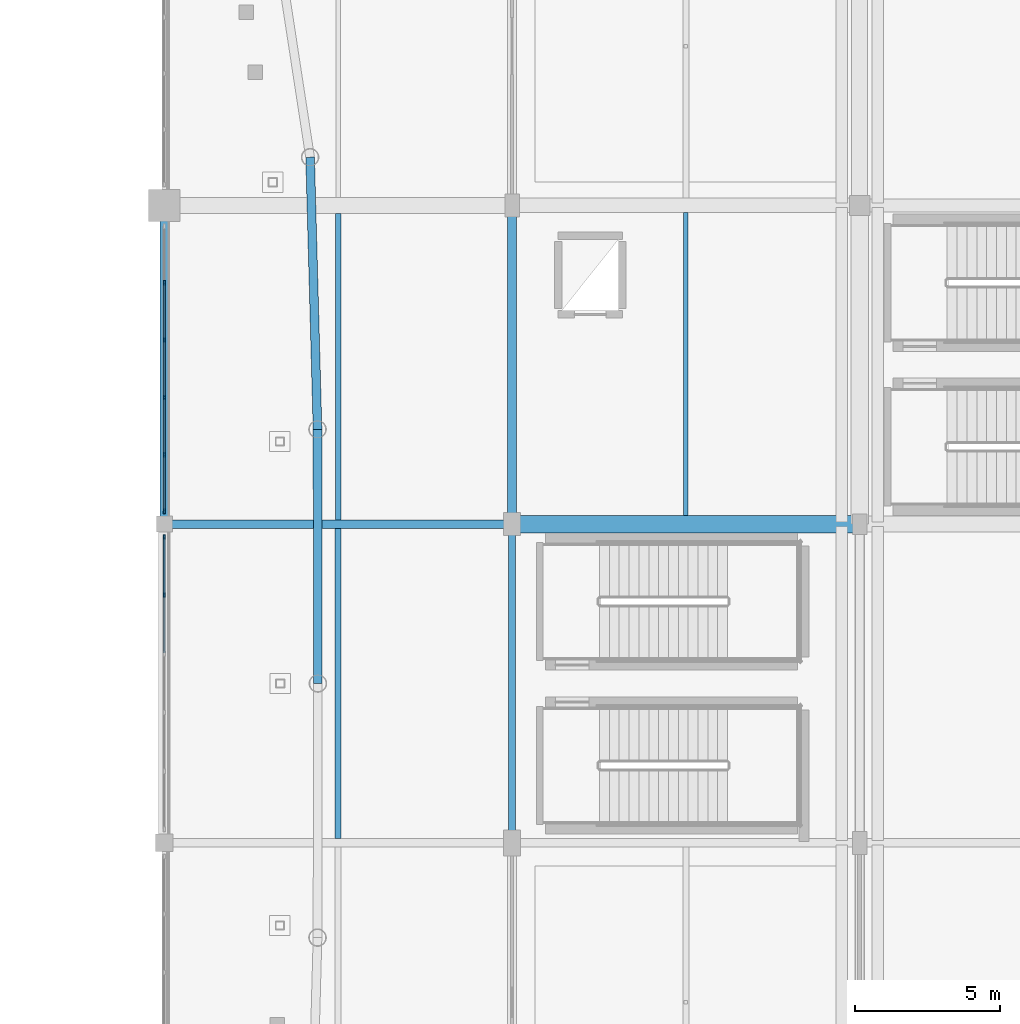
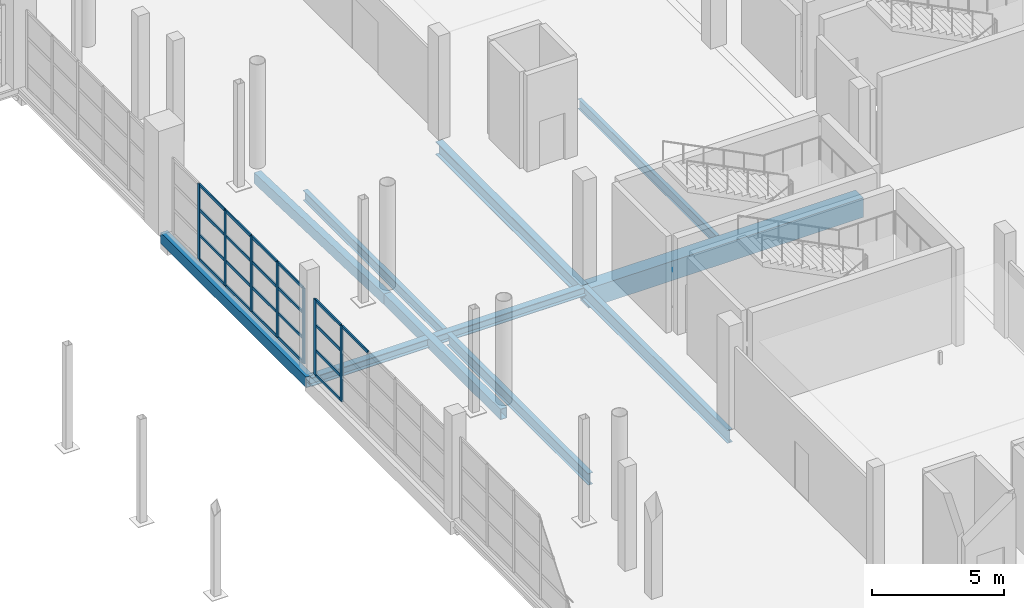
# One storey, part 60 of 143: 28 members, 10 beams, 2 elements without a shape of their own.
"""IFC4 building model written with IfcOpenShell, lengths in metres."""

from ifc_helpers import new_model, si_unit, direction, frame, origin, origin_2d, place, context, subcontext, project, spatial, rectangle, hollow_rectangle, i_section, extrude, material, material_profile, profile_set, type_object, element, aggregate, save


model = new_model("IFC4")

# Units and contexts
model_context = context("Model", 3, precision=1e-05, world=origin(), true_north=direction((0.0, 1.0)))
body_context = subcontext(model_context, "Body", "Model", "MODEL_VIEW")
ifc_project = project(units=[si_unit("LENGTHUNIT", "METRE"), si_unit("AREAUNIT", "SQUARE_METRE"), si_unit("VOLUMEUNIT", "CUBIC_METRE"), si_unit("PLANEANGLEUNIT", "RADIAN"), si_unit("MASSUNIT", "GRAM", prefix="KILO")], contexts=[model_context])

# Site, building, storey
site_placement = place(None, origin())
site = spatial("IfcSite", under=ifc_project, at=site_placement, CompositionType="ELEMENT")
building_placement = place(site_placement, origin())
building = spatial("IfcBuilding", under=site, at=building_placement, Name="Luwafu Chhajja Arena", CompositionType="ELEMENT")
storey_placement = place(building_placement, frame((0.0, 0.0, 5.39990234375)))
storey = spatial("IfcBuildingStorey", under=building, at=storey_placement, Name="L01", CompositionType="ELEMENT", Elevation=5.39990234375)

# Curtain wall, members
ifc_material_1 = material(Name="Anodised bronze aluminium", Category="aluminium")
curtain_wall_type = type_object("IfcCurtainWallType", Name="Bowl Concourse Chord Curtain Wall", PredefinedType="USERDEFINED", material=ifc_material_1)
curtain_wall_1_placement = place(storey_placement, origin())
curtain_wall_1 = element("IfcCurtainWall", 1, at=curtain_wall_1_placement, inside=storey, type_object=curtain_wall_type, Name="L01 Bowl Viewing Curtain Wall CWR-L01-22", ObjectType="CURTAIN WALL", PredefinedType="USERDEFINED")
ifc_material_profile_1 = material_profile(ifc_material_1, rectangle(XDim=0.06005859375, YDim=0.159912109375, at=origin_2d()), Name="CWM 60x160")
ifc_profile_set_1 = profile_set([ifc_material_profile_1], Name="Anodised bronze aluminium")
member_type_1 = type_object("IfcMemberType", Name="Bronze Curtain Wall Mullion 60x160", PredefinedType="MULLION", material=ifc_profile_set_1)
member_1_placement = place(storey_placement, frame((140.0, 52.555908203125, 0.0), z_axis=(0.0, 0.0, 1.0), x_axis=(-1.0, 0.0, 0.0)))
member_1 = element("IfcMember", 2, at=member_1_placement, type_object=member_type_1, Name="CW-01 mullion 5", PredefinedType="MULLION", context=body_context, shape_type="SweptSolid", body=[
    extrude(rectangle(XDim=0.06005859375, YDim=0.159912109375, at=origin_2d()), origin(), (0.0, 0.0, 1.0), 3.489990234375),
])
member_2_placement = place(storey_placement, frame((140.0, 54.554931640625, 0.0), z_axis=(0.0, 0.0, 1.0), x_axis=(-1.0, 0.0, 0.0)))
member_2 = element("IfcMember", 3, at=member_2_placement, type_object=member_type_1, Name="CW-01 mullion 6", PredefinedType="MULLION", context=body_context, shape_type="SweptSolid", body=[
    extrude(rectangle(XDim=0.06005859375, YDim=0.159912109375, at=origin_2d()), origin(), (0.0, 0.0, 1.0), 3.489990234375),
])

curtain_wall_2_placement = place(storey_placement, origin())
curtain_wall_2 = element("IfcCurtainWall", 4, at=curtain_wall_2_placement, inside=storey, type_object=curtain_wall_type, Name="L01 Bowl Viewing Curtain Wall CWR-L01-23", ObjectType="CURTAIN WALL", PredefinedType="USERDEFINED")
member_3_placement = place(storey_placement, frame((140.0, 55.445068359375, 0.0), z_axis=(0.0, 0.0, 1.0), x_axis=(-1.0, 0.0, 0.0)))
member_3 = element("IfcMember", 5, at=member_3_placement, type_object=member_type_1, Name="CW-01 mullion 1", PredefinedType="MULLION", context=body_context, shape_type="SweptSolid", body=[
    extrude(rectangle(XDim=0.06005859375, YDim=0.159912109375, at=origin_2d()), origin(), (0.0, 0.0, 1.0), 3.489990234375),
])
member_4_placement = place(storey_placement, frame((140.0, 57.39404296875, 0.0), z_axis=(0.0, 0.0, 1.0), x_axis=(-1.0, 0.0, 0.0)))
member_4 = element("IfcMember", 6, at=member_4_placement, type_object=member_type_1, Name="CW-01 mullion 2", PredefinedType="MULLION", context=body_context, shape_type="SweptSolid", body=[
    extrude(rectangle(XDim=0.06005859375, YDim=0.159912109375, at=origin_2d()), origin(), (0.0, 0.0, 1.0), 3.489990234375),
])
member_5_placement = place(storey_placement, frame((140.0, 59.373046875, 0.0), z_axis=(0.0, 0.0, 1.0), x_axis=(-1.0, 0.0, 0.0)))
member_5 = element("IfcMember", 7, at=member_5_placement, type_object=member_type_1, Name="CW-01 mullion 3", PredefinedType="MULLION", context=body_context, shape_type="SweptSolid", body=[
    extrude(rectangle(XDim=0.06005859375, YDim=0.159912109375, at=origin_2d()), origin(), (0.0, 0.0, 1.0), 3.489990234375),
])
member_6_placement = place(storey_placement, frame((140.0, 61.35205078125, 0.0), z_axis=(0.0, 0.0, 1.0), x_axis=(-1.0, 0.0, 0.0)))
member_6 = element("IfcMember", 8, at=member_6_placement, type_object=member_type_1, Name="CW-01 mullion 4", PredefinedType="MULLION", context=body_context, shape_type="SweptSolid", body=[
    extrude(rectangle(XDim=0.06005859375, YDim=0.159912109375, at=origin_2d()), origin(), (0.0, 0.0, 1.0), 3.489990234375),
])
member_7_placement = place(storey_placement, frame((140.0, 63.3310546875, 0.0), z_axis=(0.0, 0.0, 1.0), x_axis=(-1.0, 0.0, 0.0)))
member_7 = element("IfcMember", 9, at=member_7_placement, type_object=member_type_1, Name="CW-01 mullion 5", PredefinedType="MULLION", context=body_context, shape_type="SweptSolid", body=[
    extrude(rectangle(XDim=0.06005859375, YDim=0.159912109375, at=origin_2d()), origin(), (0.0, 0.0, 1.0), 3.489990234375),
])

# Member
ifc_material_profile_2 = material_profile(ifc_material_1, rectangle(XDim=0.06005859375, YDim=0.1298828125, at=origin_2d()), Name="CWT 60x130")
ifc_profile_set_2 = profile_set([ifc_material_profile_2], Name="Anodised bronze aluminium")
member_type_2 = type_object("IfcMemberType", Name="Bronze Curtain Wall Transom 60x130", PredefinedType="USERDEFINED", material=ifc_profile_set_2)
member_8_placement = place(storey_placement, frame((140.0, 50.556884765625, 3.460205078125), z_axis=(0.0, 1.0, 0.0), x_axis=(-1.0, 0.0, 0.0)))
member_8 = element("IfcMember", 10, at=member_8_placement, type_object=member_type_2, Name="CW-01 transom 4.4", ObjectType="TRANSOM", PredefinedType="USERDEFINED", context=body_context, shape_type="SweptSolid", body=[
    extrude(rectangle(XDim=0.06005859375, YDim=0.1298828125, at=origin_2d()), origin(), (0.0, 0.0, 1.0), 1.968994140625),
])

member_9_placement = place(storey_placement, frame((140.0, 52.5859375, 0.030029296875), z_axis=(0.0, 1.0, 0.0), x_axis=(-1.0, 0.0, 0.0)))
member_9 = element("IfcMember", 11, at=member_9_placement, type_object=member_type_2, Name="CW-01 transom 5.1", ObjectType="TRANSOM", PredefinedType="USERDEFINED", context=body_context, shape_type="SweptSolid", body=[
    extrude(rectangle(XDim=0.06005859375, YDim=0.1298828125, at=origin_2d()), origin(), (0.0, 0.0, 1.0), 1.93896484375),
])

member_10_placement = place(storey_placement, frame((140.0, 52.5859375, 1.150146484375), z_axis=(0.0, 1.0, 0.0), x_axis=(-1.0, 0.0, 0.0)))
member_10 = element("IfcMember", 12, at=member_10_placement, type_object=member_type_2, Name="CW-01 transom 5.2", ObjectType="TRANSOM", PredefinedType="USERDEFINED", context=body_context, shape_type="SweptSolid", body=[
    extrude(rectangle(XDim=0.06005859375, YDim=0.1298828125, at=origin_2d()), origin(), (0.0, 0.0, 1.0), 1.93896484375),
])

member_11_placement = place(storey_placement, frame((140.0, 52.5859375, 2.320068359375), z_axis=(0.0, 1.0, 0.0), x_axis=(-1.0, 0.0, 0.0)))
member_11 = element("IfcMember", 13, at=member_11_placement, type_object=member_type_2, Name="CW-01 transom 5.3", ObjectType="TRANSOM", PredefinedType="USERDEFINED", context=body_context, shape_type="SweptSolid", body=[
    extrude(rectangle(XDim=0.06005859375, YDim=0.1298828125, at=origin_2d()), origin(), (0.0, 0.0, 1.0), 1.93896484375),
])

member_12_placement = place(storey_placement, frame((140.0, 52.5859375, 3.460205078125), z_axis=(0.0, 1.0, 0.0), x_axis=(-1.0, 0.0, 0.0)))
member_12 = element("IfcMember", 14, at=member_12_placement, type_object=member_type_2, Name="CW-01 transom 5.4", ObjectType="TRANSOM", PredefinedType="USERDEFINED", context=body_context, shape_type="SweptSolid", body=[
    extrude(rectangle(XDim=0.06005859375, YDim=0.1298828125, at=origin_2d()), origin(), (0.0, 0.0, 1.0), 1.93896484375),
])

aggregate(curtain_wall_1, [member_1, member_2, member_8, member_9, member_10, member_11, member_12])

member_13_placement = place(storey_placement, frame((140.0, 55.47509765625, 0.030029296875), z_axis=(0.0, 1.0, 0.0), x_axis=(-1.0, 0.0, 0.0)))
member_13 = element("IfcMember", 15, at=member_13_placement, type_object=member_type_2, Name="CW-01 transom 1.1", ObjectType="TRANSOM", PredefinedType="USERDEFINED", context=body_context, shape_type="SweptSolid", body=[
    extrude(rectangle(XDim=0.06005859375, YDim=0.1298828125, at=origin_2d()), origin(), (0.0, 0.0, 1.0), 1.888916015625),
])

member_14_placement = place(storey_placement, frame((140.0, 55.47509765625, 1.150146484375), z_axis=(0.0, 1.0, 0.0), x_axis=(-1.0, 0.0, 0.0)))
member_14 = element("IfcMember", 16, at=member_14_placement, type_object=member_type_2, Name="CW-01 transom 1.2", ObjectType="TRANSOM", PredefinedType="USERDEFINED", context=body_context, shape_type="SweptSolid", body=[
    extrude(rectangle(XDim=0.06005859375, YDim=0.1298828125, at=origin_2d()), origin(), (0.0, 0.0, 1.0), 1.888916015625),
])

member_15_placement = place(storey_placement, frame((140.0, 55.47509765625, 2.320068359375), z_axis=(0.0, 1.0, 0.0), x_axis=(-1.0, 0.0, 0.0)))
member_15 = element("IfcMember", 17, at=member_15_placement, type_object=member_type_2, Name="CW-01 transom 1.3", ObjectType="TRANSOM", PredefinedType="USERDEFINED", context=body_context, shape_type="SweptSolid", body=[
    extrude(rectangle(XDim=0.06005859375, YDim=0.1298828125, at=origin_2d()), origin(), (0.0, 0.0, 1.0), 1.888916015625),
])

member_16_placement = place(storey_placement, frame((140.0, 55.47509765625, 3.460205078125), z_axis=(0.0, 1.0, 0.0), x_axis=(-1.0, 0.0, 0.0)))
member_16 = element("IfcMember", 18, at=member_16_placement, type_object=member_type_2, Name="CW-01 transom 1.4", ObjectType="TRANSOM", PredefinedType="USERDEFINED", context=body_context, shape_type="SweptSolid", body=[
    extrude(rectangle(XDim=0.06005859375, YDim=0.1298828125, at=origin_2d()), origin(), (0.0, 0.0, 1.0), 1.888916015625),
])

member_17_placement = place(storey_placement, frame((140.0, 57.424072265625, 0.030029296875), z_axis=(0.0, 1.0, 0.0), x_axis=(-1.0, 0.0, 0.0)))
member_17 = element("IfcMember", 19, at=member_17_placement, type_object=member_type_2, Name="CW-01 transom 2.1", ObjectType="TRANSOM", PredefinedType="USERDEFINED", context=body_context, shape_type="SweptSolid", body=[
    extrude(rectangle(XDim=0.06005859375, YDim=0.1298828125, at=origin_2d()), origin(), (0.0, 0.0, 1.0), 1.9189453125),
])

member_18_placement = place(storey_placement, frame((140.0, 57.424072265625, 1.150146484375), z_axis=(0.0, 1.0, 0.0), x_axis=(-1.0, 0.0, 0.0)))
member_18 = element("IfcMember", 20, at=member_18_placement, type_object=member_type_2, Name="CW-01 transom 2.2", ObjectType="TRANSOM", PredefinedType="USERDEFINED", context=body_context, shape_type="SweptSolid", body=[
    extrude(rectangle(XDim=0.06005859375, YDim=0.1298828125, at=origin_2d()), origin(), (0.0, 0.0, 1.0), 1.9189453125),
])

member_19_placement = place(storey_placement, frame((140.0, 57.424072265625, 2.320068359375), z_axis=(0.0, 1.0, 0.0), x_axis=(-1.0, 0.0, 0.0)))
member_19 = element("IfcMember", 21, at=member_19_placement, type_object=member_type_2, Name="CW-01 transom 2.3", ObjectType="TRANSOM", PredefinedType="USERDEFINED", context=body_context, shape_type="SweptSolid", body=[
    extrude(rectangle(XDim=0.06005859375, YDim=0.1298828125, at=origin_2d()), origin(), (0.0, 0.0, 1.0), 1.9189453125),
])

member_20_placement = place(storey_placement, frame((140.0, 57.424072265625, 3.460205078125), z_axis=(0.0, 1.0, 0.0), x_axis=(-1.0, 0.0, 0.0)))
member_20 = element("IfcMember", 22, at=member_20_placement, type_object=member_type_2, Name="CW-01 transom 2.4", ObjectType="TRANSOM", PredefinedType="USERDEFINED", context=body_context, shape_type="SweptSolid", body=[
    extrude(rectangle(XDim=0.06005859375, YDim=0.1298828125, at=origin_2d()), origin(), (0.0, 0.0, 1.0), 1.9189453125),
])

member_21_placement = place(storey_placement, frame((140.0, 59.403076171875, 0.030029296875), z_axis=(0.0, 1.0, 0.0), x_axis=(-1.0, 0.0, 0.0)))
member_21 = element("IfcMember", 23, at=member_21_placement, type_object=member_type_2, Name="CW-01 transom 3.1", ObjectType="TRANSOM", PredefinedType="USERDEFINED", context=body_context, shape_type="SweptSolid", body=[
    extrude(rectangle(XDim=0.06005859375, YDim=0.1298828125, at=origin_2d()), origin(), (0.0, 0.0, 1.0), 1.9189453125),
])

member_22_placement = place(storey_placement, frame((140.0, 59.403076171875, 1.150146484375), z_axis=(0.0, 1.0, 0.0), x_axis=(-1.0, 0.0, 0.0)))
member_22 = element("IfcMember", 24, at=member_22_placement, type_object=member_type_2, Name="CW-01 transom 3.2", ObjectType="TRANSOM", PredefinedType="USERDEFINED", context=body_context, shape_type="SweptSolid", body=[
    extrude(rectangle(XDim=0.06005859375, YDim=0.1298828125, at=origin_2d()), origin(), (0.0, 0.0, 1.0), 1.9189453125),
])

member_23_placement = place(storey_placement, frame((140.0, 59.403076171875, 2.320068359375), z_axis=(0.0, 1.0, 0.0), x_axis=(-1.0, 0.0, 0.0)))
member_23 = element("IfcMember", 25, at=member_23_placement, type_object=member_type_2, Name="CW-01 transom 3.3", ObjectType="TRANSOM", PredefinedType="USERDEFINED", context=body_context, shape_type="SweptSolid", body=[
    extrude(rectangle(XDim=0.06005859375, YDim=0.1298828125, at=origin_2d()), origin(), (0.0, 0.0, 1.0), 1.9189453125),
])

member_24_placement = place(storey_placement, frame((140.0, 59.403076171875, 3.460205078125), z_axis=(0.0, 1.0, 0.0), x_axis=(-1.0, 0.0, 0.0)))
member_24 = element("IfcMember", 26, at=member_24_placement, type_object=member_type_2, Name="CW-01 transom 3.4", ObjectType="TRANSOM", PredefinedType="USERDEFINED", context=body_context, shape_type="SweptSolid", body=[
    extrude(rectangle(XDim=0.06005859375, YDim=0.1298828125, at=origin_2d()), origin(), (0.0, 0.0, 1.0), 1.9189453125),
])

member_25_placement = place(storey_placement, frame((140.0, 61.382080078125, 0.030029296875), z_axis=(0.0, 1.0, 0.0), x_axis=(-1.0, 0.0, 0.0)))
member_25 = element("IfcMember", 27, at=member_25_placement, type_object=member_type_2, Name="CW-01 transom 4.1", ObjectType="TRANSOM", PredefinedType="USERDEFINED", context=body_context, shape_type="SweptSolid", body=[
    extrude(rectangle(XDim=0.06005859375, YDim=0.1298828125, at=origin_2d()), origin(), (0.0, 0.0, 1.0), 1.9189453125),
])

member_26_placement = place(storey_placement, frame((140.0, 61.382080078125, 1.150146484375), z_axis=(0.0, 1.0, 0.0), x_axis=(-1.0, 0.0, 0.0)))
member_26 = element("IfcMember", 28, at=member_26_placement, type_object=member_type_2, Name="CW-01 transom 4.2", ObjectType="TRANSOM", PredefinedType="USERDEFINED", context=body_context, shape_type="SweptSolid", body=[
    extrude(rectangle(XDim=0.06005859375, YDim=0.1298828125, at=origin_2d()), origin(), (0.0, 0.0, 1.0), 1.9189453125),
])

member_27_placement = place(storey_placement, frame((140.0, 61.382080078125, 2.320068359375), z_axis=(0.0, 1.0, 0.0), x_axis=(-1.0, 0.0, 0.0)))
member_27 = element("IfcMember", 29, at=member_27_placement, type_object=member_type_2, Name="CW-01 transom 4.3", ObjectType="TRANSOM", PredefinedType="USERDEFINED", context=body_context, shape_type="SweptSolid", body=[
    extrude(rectangle(XDim=0.06005859375, YDim=0.1298828125, at=origin_2d()), origin(), (0.0, 0.0, 1.0), 1.9189453125),
])

member_28_placement = place(storey_placement, frame((140.0, 61.382080078125, 3.460205078125), z_axis=(0.0, 1.0, 0.0), x_axis=(-1.0, 0.0, 0.0)))
member_28 = element("IfcMember", 30, at=member_28_placement, type_object=member_type_2, Name="CW-01 transom 4.4", ObjectType="TRANSOM", PredefinedType="USERDEFINED", context=body_context, shape_type="SweptSolid", body=[
    extrude(rectangle(XDim=0.06005859375, YDim=0.1298828125, at=origin_2d()), origin(), (0.0, 0.0, 1.0), 1.9189453125),
])

aggregate(curtain_wall_2, [member_3, member_4, member_5, member_6, member_7, member_13, member_14, member_15, member_16, member_17, member_18, member_19, member_20, member_21, member_22, member_23, member_24, member_25, member_26, member_27, member_28])

# Beams
ifc_material_2 = material(Name="Concrete C35/45", Category="concrete")
ifc_material_profile_3 = material_profile(ifc_material_2, rectangle(XDim=0.60009765625, YDim=0.89990234375, at=origin_2d()), Name="RC 600x900")
ifc_profile_set_3 = profile_set([ifc_material_profile_3], Name="Concrete C35/45")
beam_type_1 = type_object("IfcBeamType", Name="Concourse Primary Girder RC 600x900", PredefinedType="BEAM", material=ifc_profile_set_3)
beam_1_placement = place(storey_placement, frame((152.0, 55.0, -0.77978515625), z_axis=(1.0, 0.0, 0.0), x_axis=(0.0, 1.0, 0.0)))
element("IfcBeam", 31, at=beam_1_placement, inside=storey, type_object=beam_type_1, Name="L01 Grid Beam 14-15/F", PredefinedType="BEAM", context=body_context, shape_type="SweptSolid", body=[
    extrude(rectangle(XDim=0.60009765625, YDim=0.89990234375, at=origin_2d()), origin(), (0.0, 0.0, 1.0), 12.0),
])
ifc_material_3 = material(Name="Steel S355", Category="steel")
ifc_material_profile_4 = material_profile(ifc_material_3, i_section(OverallWidth=0.15283203125, OverallDepth=0.45458984375, WebThickness=0.008056640625, FlangeThickness=0.01318359375, at=origin_2d()), Name="UB 457x152x60")
ifc_profile_set_4 = profile_set([ifc_material_profile_4], Name="Steel S355")
beam_type_2 = type_object("IfcBeamType", Name="Floor Joist UB 457x152x60", PredefinedType="JOIST", material=ifc_profile_set_4)
beam_2_placement = place(storey_placement, frame((158.0, 55.300048828125, -0.55712890625), z_axis=(0.0, 1.0, 0.0), x_axis=(-1.0, 0.0, 0.0)))
element("IfcBeam", 32, at=beam_2_placement, inside=storey, type_object=beam_type_2, Name="L01 Secondary Joist 14-15/F", PredefinedType="JOIST", context=body_context, shape_type="SweptSolid", body=[
    extrude(i_section(OverallWidth=0.15283203125, OverallDepth=0.45458984375, WebThickness=0.008056640625, FlangeThickness=0.01318359375, at=origin_2d()), origin(), (0.0, 0.0, 1.0), 10.449951171875),
])
ifc_material_profile_5 = material_profile(ifc_material_3, i_section(OverallWidth=0.19140625, OverallDepth=0.4599609375, WebThickness=0.010009765625, FlangeThickness=0.01611328125, at=origin_2d()), Name="UB 457x191x82")
ifc_profile_set_5 = profile_set([ifc_material_profile_5], Name="Steel S355")
beam_type_3 = type_object("IfcBeamType", Name="Floor Joist UB 457x191x82", PredefinedType="JOIST", material=ifc_profile_set_5)
beam_3_placement = place(storey_placement, frame((146.0, 55.14990234375, -0.559814453125), z_axis=(0.0, 1.0, 0.0), x_axis=(-1.0, 0.0, 0.0)))
element("IfcBeam", 33, at=beam_3_placement, inside=storey, type_object=beam_type_3, Name="L01 Secondary Joist 13-14/F", PredefinedType="JOIST", context=body_context, shape_type="SweptSolid", body=[
    extrude(i_section(OverallWidth=0.19140625, OverallDepth=0.4599609375, WebThickness=0.010009765625, FlangeThickness=0.01611328125, at=origin_2d()), origin(), (0.0, 0.0, 1.0), 10.5751953125),
])
ifc_material_profile_6 = material_profile(ifc_material_3, i_section(OverallWidth=0.209228515625, OverallDepth=0.533203125, WebThickness=0.010009765625, FlangeThickness=0.015625, at=origin_2d()), Name="UB 533x210x92")
ifc_profile_set_6 = profile_set([ifc_material_profile_6], Name="Steel S355")
beam_type_4 = type_object("IfcBeamType", Name="Floor Joist UB 533x210x92", PredefinedType="JOIST", material=ifc_profile_set_6)
beam_4_placement = place(storey_placement, frame((146.0, 44.14990234375, -0.596435546875), z_axis=(0.0, 1.0, 0.0), x_axis=(-1.0, 0.0, 0.0)))
element("IfcBeam", 34, at=beam_4_placement, inside=storey, type_object=beam_type_4, Name="L01 Secondary Joist 13-14/E", PredefinedType="JOIST", context=body_context, shape_type="SweptSolid", body=[
    extrude(i_section(OverallWidth=0.209228515625, OverallDepth=0.533203125, WebThickness=0.010009765625, FlangeThickness=0.015625, at=origin_2d()), origin(), (0.0, 0.0, 1.0), 10.7001953125),
])
ifc_material_profile_7 = material_profile(ifc_material_3, hollow_rectangle(XDim=0.300048828125, YDim=0.5, WallThickness=0.02001953125, at=origin_2d()), Name="RHS 500x300x20")
ifc_profile_set_7 = profile_set([ifc_material_profile_7], Name="Steel S355")
beam_type_5 = type_object("IfcBeamType", Name="Pleated Drum Spandrel Beam RHS 500x300", PredefinedType="SPANDREL", material=ifc_profile_set_7)
beam_5_placement = place(storey_placement, frame((140.0, 55.0, -0.579833984375), z_axis=(0.0, 1.0, 0.0), x_axis=(-1.0, 0.0, 0.0)))
element("IfcBeam", 35, at=beam_5_placement, inside=storey, type_object=beam_type_5, Name="L01 Grid Beam 13/F-G", PredefinedType="SPANDREL", context=body_context, shape_type="SweptSolid", body=[
    extrude(hollow_rectangle(XDim=0.300048828125, YDim=0.5, WallThickness=0.02001953125, at=origin_2d()), origin(), (0.0, 0.0, 1.0), 11.0),
])
beam_6_placement = place(storey_placement, frame((145.300048828125, 49.5, -0.579833984375), z_axis=(-0.001419780869, 0.999998992111, 0.0), x_axis=(-0.999998992111, -0.001419780869, 0.0)))
element("IfcBeam", 36, at=beam_6_placement, inside=storey, type_object=beam_type_5, Name="L01 Drum Ring Spandrel D01-D02", PredefinedType="SPANDREL", context=body_context, shape_type="SweptSolid", body=[
    extrude(hollow_rectangle(XDim=0.300048828125, YDim=0.5, WallThickness=0.02001953125, at=origin_2d()), origin(), (0.0, 0.0, 1.0), 8.769775390625),
])
beam_7_placement = place(storey_placement, frame((145.28759765625, 58.269775390625, -0.579833984375), z_axis=(-0.02720805866, 0.999629792245, 0.0), x_axis=(-0.999629792245, -0.02720805866, 0.0)))
element("IfcBeam", 37, at=beam_7_placement, inside=storey, type_object=beam_type_5, Name="L01 Drum Ring Spandrel D02-D03", PredefinedType="SPANDREL", context=body_context, shape_type="SweptSolid", body=[
    extrude(hollow_rectangle(XDim=0.300048828125, YDim=0.5, WallThickness=0.02001953125, at=origin_2d()), origin(), (0.0, 0.0, 1.0), 9.394775390625),
])
ifc_material_profile_8 = material_profile(ifc_material_3, i_section(OverallWidth=0.300048828125, OverallDepth=0.60009765625, WebThickness=0.015380859375, FlangeThickness=0.030029296875, at=origin_2d()), Name="HEB 600")
ifc_profile_set_8 = profile_set([ifc_material_profile_8], Name="Steel S355")
beam_type_6 = type_object("IfcBeamType", Name="Steel Gallery Girder HEB 600", PredefinedType="BEAM", material=ifc_profile_set_8)
beam_8_placement = place(storey_placement, frame((152.0, 55.0, -0.6298828125), z_axis=(0.0, 1.0, 0.0), x_axis=(-1.0, 0.0, 0.0)))
element("IfcBeam", 38, at=beam_8_placement, inside=storey, type_object=beam_type_6, Name="L01 Grid Beam 14/F-G", PredefinedType="BEAM", context=body_context, shape_type="SweptSolid", body=[
    extrude(i_section(OverallWidth=0.300048828125, OverallDepth=0.60009765625, WebThickness=0.015380859375, FlangeThickness=0.030029296875, at=origin_2d()), origin(), (0.0, 0.0, 1.0), 11.0),
])
ifc_material_profile_9 = material_profile(ifc_material_3, i_section(OverallWidth=0.22900390625, OverallDepth=0.6123046875, WebThickness=0.011962890625, FlangeThickness=0.01953125, at=origin_2d()), Name="UB 610x229x125")
ifc_profile_set_9 = profile_set([ifc_material_profile_9], Name="Steel S355")
beam_type_7 = type_object("IfcBeamType", Name="Steel Mezzanine Girder UB 610x229x125", PredefinedType="BEAM", material=ifc_profile_set_9)
beam_9_placement = place(storey_placement, frame((152.0, 44.0, -0.635986328125), z_axis=(0.0, 1.0, 0.0), x_axis=(-1.0, 0.0, 0.0)))
element("IfcBeam", 39, at=beam_9_placement, inside=storey, type_object=beam_type_7, Name="L01 Grid Beam 14/E-F", PredefinedType="BEAM", context=body_context, shape_type="SweptSolid", body=[
    extrude(i_section(OverallWidth=0.22900390625, OverallDepth=0.6123046875, WebThickness=0.011962890625, FlangeThickness=0.01953125, at=origin_2d()), origin(), (0.0, 0.0, 1.0), 11.0),
])
ifc_material_profile_10 = material_profile(ifc_material_3, i_section(OverallWidth=0.300048828125, OverallDepth=0.39990234375, WebThickness=0.013427734375, FlangeThickness=0.02392578125, at=origin_2d()), Name="HEB 400")
ifc_profile_set_10 = profile_set([ifc_material_profile_10], Name="Steel S355")
beam_type_8 = type_object("IfcBeamType", Name="Steel Rigging Grid Beam HEB 400", PredefinedType="BEAM", material=ifc_profile_set_10)
beam_10_placement = place(storey_placement, frame((140.0, 55.0, -0.52978515625), z_axis=(1.0, 0.0, 0.0), x_axis=(0.0, 1.0, 0.0)))
element("IfcBeam", 40, at=beam_10_placement, inside=storey, type_object=beam_type_8, Name="L01 Grid Beam 13-14/F", PredefinedType="BEAM", context=body_context, shape_type="SweptSolid", body=[
    extrude(i_section(OverallWidth=0.300048828125, OverallDepth=0.39990234375, WebThickness=0.013427734375, FlangeThickness=0.02392578125, at=origin_2d()), origin(), (0.0, 0.0, 1.0), 12.0),
])

save(model, "model.ifc")
